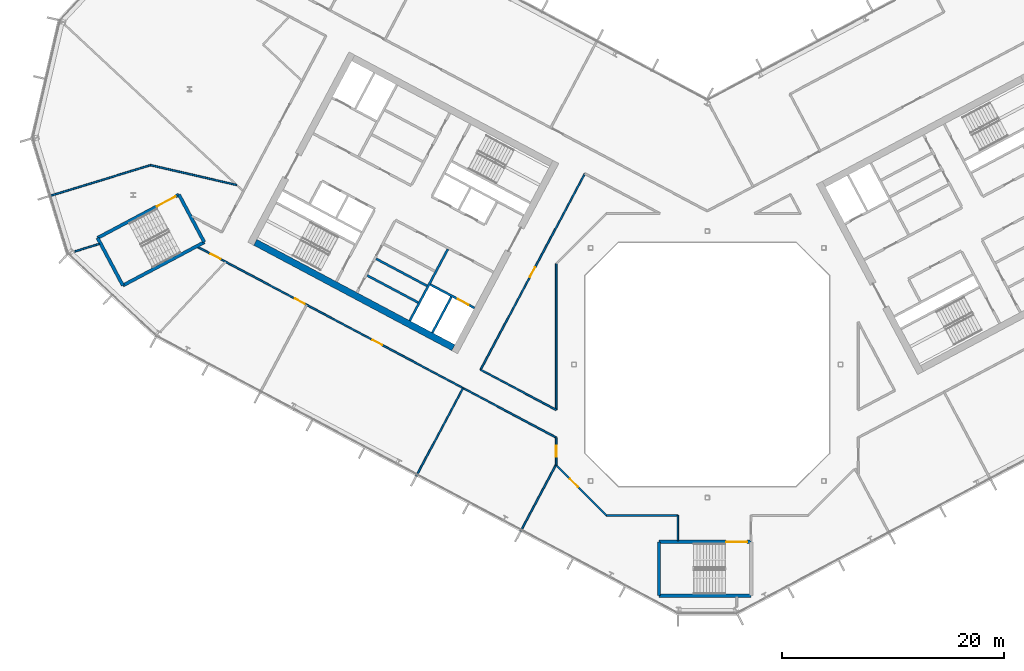
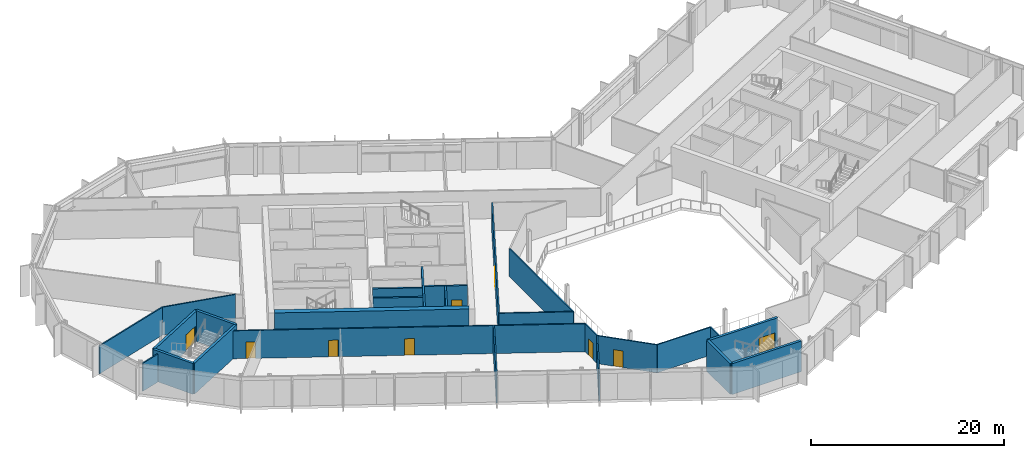
# One storey, part 13 of 27: 26 walls, 9 doors, 9 openings.
"""IFC4 building model written with IfcOpenShell, lengths in metres."""

from ifc_helpers import new_model, si_unit, direction, frame, frame_2d, origin, place, context, subcontext, project, spatial, rectangle, extrude, material, layer, layer_set, type_object, element, fill, save


model = new_model("IFC4")

# Units and contexts
model_context = context("Model", 3, precision=1e-05, world=origin(), true_north=direction((0.0, 1.0)))
body_context = subcontext(model_context, "Body", "Model", "MODEL_VIEW")
ifc_project = project(units=[si_unit("LENGTHUNIT", "METRE"), si_unit("AREAUNIT", "SQUARE_METRE"), si_unit("VOLUMEUNIT", "CUBIC_METRE"), si_unit("PLANEANGLEUNIT", "RADIAN"), si_unit("MASSUNIT", "GRAM", prefix="KILO")], contexts=[model_context])

# Site, building, storey
site_placement = place(None, origin())
site = spatial("IfcSite", under=ifc_project, at=site_placement, CompositionType="ELEMENT")
building_placement = place(site_placement, origin())
building = spatial("IfcBuilding", under=site, at=building_placement, Name="Cormorant Relay Tower", CompositionType="ELEMENT")
storey_placement = place(building_placement, frame((0.0, 0.0, 232.5)))
storey = spatial("IfcBuildingStorey", under=building, at=storey_placement, Name="L51", CompositionType="ELEMENT", Elevation=232.5)

# Walls
ifc_material_1 = material(Name="Concrete 40 MPa", Category="concrete")
ifc_layer_1 = layer(ifc_material_1, 0.199951171875)
ifc_layer_set_1 = layer_set([ifc_layer_1], Name="Core internal wall 200")
wall_type_1 = type_object("IfcWallType", Name="Core internal wall 200", PredefinedType="SOLIDWALL", material=ifc_layer_set_1)
for number, where, z_axis, x_axis, name in (
    (1, (-25.232421875, 7.073974609375, 0.0), (0.0, 0.0, 1.0), (-0.882953967957, 0.469459572775, 0.0), "L51 core A shaft and room wall"),
    (2, (-26.030517578125, 5.572998046875, 0.0), (0.0, 0.0, 1.0), (-0.882953967957, 0.469459572775, 0.0), "L51 core A shaft and room wall"),
):
    element("IfcWall", number, at=place(storey_placement, frame(where, z_axis=z_axis, x_axis=x_axis)), inside=storey, type_object=wall_type_1, Name=name, PredefinedType="SOLIDWALL", context=body_context, shape_type="SweptSolid", body=[
        extrude(rectangle(XDim=5.199951171875, YDim=0.199951171875, at=frame_2d((2.60009765625, 0.0))), origin(), (0.0, 0.0, 1.0), 3.89990234375),
    ])
ifc_material_2 = material(Name="Concrete 50 MPa", Category="concrete")
ifc_layer_2 = layer(ifc_material_2, 0.199951171875)
ifc_layer_set_2 = layer_set([ifc_layer_2], Name="Core shaft wall 200")
wall_type_2 = type_object("IfcWallType", Name="Core shaft wall 200", PredefinedType="SHEAR", material=ifc_layer_set_2)
wall_1_placement = place(storey_placement, frame((-23.04296875, 6.07958984375, 0.0), z_axis=(0.0, 0.0, 1.0), x_axis=(-0.469494272526, -0.882935517501, 0.0)))
element("IfcWall", 3, at=wall_1_placement, inside=storey, type_object=wall_type_2, Name="L51 core A shaft wall", PredefinedType="SHEAR", context=body_context, shape_type="SweptSolid", body=[
    extrude(rectangle(XDim=3.64990234375, YDim=0.199951171875, at=frame_2d((1.824951171875, 0.0))), origin(), (0.0, 0.0, 1.0), 3.89990234375),
])
wall_2_placement = place(storey_placement, frame((-23.360107421875, 10.38232421875, 0.0), z_axis=(0.0, 0.0, 1.0), x_axis=(-0.469480409012, -0.88294288918, 0.0)))
element("IfcWall", 4, at=wall_2_placement, inside=storey, type_object=wall_type_2, Name="L51 core A shaft wall", PredefinedType="SHEAR", context=body_context, shape_type="SweptSolid", body=[
    extrude(rectangle(XDim=7.300048828125, YDim=0.199951171875, at=frame_2d((3.64990234375, 0.0))), origin(), (0.0, 0.0, 1.0), 3.89990234375),
])

# Wall, opening, door
wall_3_placement = place(storey_placement, frame((-20.96533203125, 5.088134765625, 0.0), z_axis=(0.0, 0.0, 1.0), x_axis=(-0.882925986334, 0.469512196493, 0.0)))
wall_3 = element("IfcWall", 5, at=wall_3_placement, inside=storey, type_object=wall_type_2, Name="L51 core A shaft wall", PredefinedType="SHEAR", context=body_context, shape_type="SweptSolid", body=[
    extrude(rectangle(XDim=4.5, YDim=0.199951171875, at=frame_2d((2.25, 0.0))), origin(), (0.0, 0.0, 1.0), 3.89990234375),
])
opening_1_placement = place(wall_3_placement, frame((0.60009765625, 0.0, 0.0)))
opening_1 = element("IfcOpeningElement", 6, at=opening_1_placement, cuts=wall_3, Name="Opening LD1-063", PredefinedType="OPENING", context=body_context, shape_type="SweptSolid", body=[
    extrude(rectangle(XDim=1.10009765625, YDim=2.10009765625, at=frame_2d((0.550048828125, 1.050048828125))), frame((0.0, 0.10986328125, 0.0), z_axis=(0.0, -1.0, 0.0), x_axis=(1.0, 0.0, 0.0)), (0.0, 0.0, 1.0), 0.219970703125),
])
ifc_material_3 = material(Name="Stainless steel 316", Category="steel")
door_type_1 = type_object("IfcDoorType", Name="Lift landing door 1100x2100", OperationType="DOUBLE_DOOR_SLIDING", PredefinedType="DOOR", material=ifc_material_3)
door_1_placement = place(opening_1_placement, origin())
door_1 = element("IfcDoor", 7, at=door_1_placement, inside=storey, type_object=door_type_1, Name="FF1 landing door", OperationType="DOUBLE_DOOR_SLIDING", OverallHeight=2.10009765625, OverallWidth=1.10009765625, PredefinedType="DOOR", context=body_context, shape_type="SweptSolid", body=[
    extrude(rectangle(XDim=1.10009765625, YDim=2.10009765625, at=frame_2d((0.550048828125, 1.050048828125))), frame((0.0, 0.02490234375, 0.0), z_axis=(0.0, -1.0, 0.0), x_axis=(1.0, 0.0, 0.0)), (0.0, 0.0, 1.0), 0.050048828125),
])
fill(opening_1, door_1)

# Wall
ifc_material_4 = material(Name="Concrete 50 MPa", Category="concrete")
ifc_layer_3 = layer(ifc_material_4, 0.60009765625)
ifc_layer_set_3 = layer_set([ifc_layer_3], Name="Core wall 600")
wall_type_3 = type_object("IfcWallType", Name="Core wall 600", PredefinedType="SHEAR", material=ifc_layer_set_3)
wall_4_placement = place(storey_placement, frame((-22.86669921875, 1.51220703125, 0.0), z_axis=(0.0, 0.0, 1.0), x_axis=(-0.88294509198, 0.469476266226, 0.0)))
element("IfcWall", 8, at=wall_4_placement, inside=storey, type_object=wall_type_3, Name="L51 core A wall", PredefinedType="SHEAR", context=body_context, shape_type="SweptSolid", body=[
    extrude(rectangle(XDim=20.199951171875, YDim=0.60009765625, at=frame_2d((10.10009765625, 0.0))), origin(), (0.0, 0.0, 1.0), 3.89990234375),
])

# Wall, opening, door
ifc_material_5 = material(Name="Gypsum board fire partition")
ifc_layer_4 = layer(ifc_material_5, 0.14990234375)
ifc_layer_set_4 = layer_set([ifc_layer_4], Name="Corridor partition 150 EI 60")
wall_type_4 = type_object("IfcWallType", Name="Corridor partition 150 EI 60", PredefinedType="PARTITIONING", material=ifc_layer_set_4)
wall_5_placement = place(storey_placement, frame((-13.60009765625, -9.076904296875, 0.0), z_axis=(0.0, 0.0, 1.0), x_axis=(0.0, 1.0, 0.0)))
wall_5 = element("IfcWall", 9, at=wall_5_placement, inside=storey, type_object=wall_type_4, Name="wall/L51/part/015", PredefinedType="PARTITIONING", context=body_context, shape_type="SweptSolid", body=[
    extrude(rectangle(XDim=2.490966796875, YDim=0.14990234375, at=frame_2d((1.24560546875, 0.0))), origin(), (0.0, 0.0, 1.0), 3.5400390625),
])
opening_2_placement = place(wall_5_placement, frame((0.75, 0.0, 0.0)))
opening_2 = element("IfcOpeningElement", 10, at=opening_2_placement, cuts=wall_5, Name="Opening DS-158", PredefinedType="OPENING", context=body_context, shape_type="SweptSolid", body=[
    extrude(rectangle(XDim=1.0, YDim=2.10009765625, at=frame_2d((0.5, 1.050048828125))), frame((0.0, 0.0849609375, 0.0), z_axis=(0.0, -1.0, 0.0), x_axis=(1.0, 0.0, 0.0)), (0.0, 0.0, 1.0), 0.169921875),
])
ifc_material_6 = material(Name="Timber door leaf", Category="wood")
door_type_2 = type_object("IfcDoorType", Name="Suite door 1000x2100", OperationType="SINGLE_SWING_LEFT", PredefinedType="DOOR", material=ifc_material_6)
door_2_placement = place(opening_2_placement, origin())
door_2 = element("IfcDoor", 11, at=door_2_placement, inside=storey, type_object=door_type_2, Name="door/L51/010", OperationType="SINGLE_SWING_RIGHT", OverallHeight=2.10009765625, OverallWidth=1.0, PredefinedType="DOOR", context=body_context, shape_type="SweptSolid", body=[
    extrude(rectangle(XDim=1.0, YDim=2.10009765625, at=frame_2d((0.5, 1.050048828125))), frame((0.0, 0.02490234375, 0.0), z_axis=(0.0, -1.0, 0.0), x_axis=(1.0, 0.0, 0.0)), (0.0, 0.0, 1.0), 0.050048828125),
])
fill(opening_2, door_2)

# Wall, openings, doors
wall_6_placement = place(storey_placement, frame((-13.60009765625, -6.5859375, 0.0), z_axis=(0.0, 0.0, 1.0), x_axis=(-0.882948083203, 0.469470640582, 0.0)))
wall_6 = element("IfcWall", 12, at=wall_6_placement, inside=storey, type_object=wall_type_4, Name="wall/L51/part/016", PredefinedType="PARTITIONING", context=body_context, shape_type="SweptSolid", body=[
    extrude(rectangle(XDim=36.5556640625, YDim=0.14990234375, at=frame_2d((18.27783203125, 0.0))), origin(), (0.0, 0.0, 1.0), 3.5400390625),
])
opening_3_placement = place(wall_6_placement, frame((34.25, 0.0, 0.0)))
opening_3 = element("IfcOpeningElement", 13, at=opening_3_placement, cuts=wall_6, Name="Opening DS-155", PredefinedType="OPENING", context=body_context, shape_type="SweptSolid", body=[
    extrude(rectangle(XDim=1.0, YDim=2.10009765625, at=frame_2d((0.5, 1.050048828125))), frame((0.0, 0.0849609375, 0.0), z_axis=(0.0, -1.0, 0.0), x_axis=(1.0, 0.0, 0.0)), (0.0, 0.0, 1.0), 0.169921875),
])
opening_4_placement = place(wall_6_placement, frame((25.64990234375, 0.0, 0.0)))
opening_4 = element("IfcOpeningElement", 14, at=opening_4_placement, cuts=wall_6, Name="Opening DS-156", PredefinedType="OPENING", context=body_context, shape_type="SweptSolid", body=[
    extrude(rectangle(XDim=1.0, YDim=2.10009765625, at=frame_2d((0.5, 1.050048828125))), frame((0.0, 0.0849609375, 0.0), z_axis=(0.0, -1.0, 0.0), x_axis=(1.0, 0.0, 0.0)), (0.0, 0.0, 1.0), 0.169921875),
])
opening_5_placement = place(wall_6_placement, frame((17.75, 0.0, 0.0)))
opening_5 = element("IfcOpeningElement", 15, at=opening_5_placement, cuts=wall_6, Name="Opening DS-157", PredefinedType="OPENING", context=body_context, shape_type="SweptSolid", body=[
    extrude(rectangle(XDim=1.0, YDim=2.10009765625, at=frame_2d((0.5, 1.050048828125))), frame((0.0, 0.0849609375, 0.0), z_axis=(0.0, -1.0, 0.0), x_axis=(1.0, 0.0, 0.0)), (0.0, 0.0, 1.0), 0.169921875),
])
door_3_placement = place(opening_3_placement, origin())
door_3 = element("IfcDoor", 16, at=door_3_placement, inside=storey, type_object=door_type_2, Name="door/L51/007", OperationType="SINGLE_SWING_LEFT", OverallHeight=2.10009765625, OverallWidth=1.0, PredefinedType="DOOR", context=body_context, shape_type="SweptSolid", body=[
    extrude(rectangle(XDim=1.0, YDim=2.10009765625, at=frame_2d((0.5, 1.050048828125))), frame((0.0, 0.02490234375, 0.0), z_axis=(0.0, -1.0, 0.0), x_axis=(1.0, 0.0, 0.0)), (0.0, 0.0, 1.0), 0.050048828125),
])
fill(opening_3, door_3)
door_4_placement = place(opening_4_placement, origin())
door_4 = element("IfcDoor", 17, at=door_4_placement, inside=storey, type_object=door_type_2, Name="door/L51/008", OperationType="SINGLE_SWING_LEFT", OverallHeight=2.10009765625, OverallWidth=1.0, PredefinedType="DOOR", context=body_context, shape_type="SweptSolid", body=[
    extrude(rectangle(XDim=1.0, YDim=2.10009765625, at=frame_2d((0.5, 1.050048828125))), frame((0.0, 0.02490234375, 0.0), z_axis=(0.0, -1.0, 0.0), x_axis=(1.0, 0.0, 0.0)), (0.0, 0.0, 1.0), 0.050048828125),
])
fill(opening_4, door_4)
door_5_placement = place(opening_5_placement, origin())
door_5 = element("IfcDoor", 18, at=door_5_placement, inside=storey, type_object=door_type_2, Name="door/L51/009", OperationType="SINGLE_SWING_LEFT", OverallHeight=2.10009765625, OverallWidth=1.0, PredefinedType="DOOR", context=body_context, shape_type="SweptSolid", body=[
    extrude(rectangle(XDim=1.0, YDim=2.10009765625, at=frame_2d((0.5, 1.050048828125))), frame((0.0, 0.02490234375, 0.0), z_axis=(0.0, -1.0, 0.0), x_axis=(1.0, 0.0, 0.0)), (0.0, 0.0, 1.0), 0.050048828125),
])
fill(opening_5, door_5)

# Wall, opening, door
wall_7_placement = place(storey_placement, frame((-13.60009765625, -9.076904296875, 0.0), z_axis=(0.0, 0.0, 1.0), x_axis=(0.707106781187, -0.707106781187, 0.0)))
wall_7 = element("IfcWall", 19, at=wall_7_placement, inside=storey, type_object=wall_type_4, Name="wall/L51/part/023", PredefinedType="PARTITIONING", context=body_context, shape_type="SweptSolid", body=[
    extrude(rectangle(XDim=6.396728515625, YDim=0.14990234375, at=frame_2d((3.1982421875, 0.0))), origin(), (0.0, 0.0, 1.0), 3.5400390625),
])
opening_6_placement = place(wall_7_placement, frame((1.75, 0.0, 0.0)))
opening_6 = element("IfcOpeningElement", 20, at=opening_6_placement, cuts=wall_7, Name="Opening DS-159", PredefinedType="OPENING", context=body_context, shape_type="SweptSolid", body=[
    extrude(rectangle(XDim=1.0, YDim=2.10009765625, at=frame_2d((0.5, 1.050048828125))), frame((0.0, 0.0849609375, 0.0), z_axis=(0.0, -1.0, 0.0), x_axis=(1.0, 0.0, 0.0)), (0.0, 0.0, 1.0), 0.169921875),
])
door_6_placement = place(opening_6_placement, frame((1.0, 0.0, 0.0), z_axis=(0.0, 0.0, 1.0), x_axis=(-1.0, 0.0, 0.0)))
door_6 = element("IfcDoor", 21, at=door_6_placement, inside=storey, type_object=door_type_2, Name="door/L51/011", OperationType="SINGLE_SWING_RIGHT", OverallHeight=2.10009765625, OverallWidth=1.0, PredefinedType="DOOR", context=body_context, shape_type="SweptSolid", body=[
    extrude(rectangle(XDim=1.0, YDim=2.10009765625, at=frame_2d((0.5, 1.050048828125))), frame((0.0, 0.02490234375, 0.0), z_axis=(0.0, -1.0, 0.0), x_axis=(1.0, 0.0, 0.0)), (0.0, 0.0, 1.0), 0.050048828125),
])
fill(opening_6, door_6)

# Walls
wall_8_placement = place(storey_placement, frame((-2.64892578125, -15.875, 0.0), z_axis=(0.0, 0.0, 1.0), x_axis=(0.0, 1.0, 0.0)))
element("IfcWall", 22, at=wall_8_placement, inside=storey, type_object=wall_type_4, Name="wall/L51/part/025", PredefinedType="PARTITIONING", context=body_context, shape_type="SweptSolid", body=[
    extrude(rectangle(XDim=2.27490234375, YDim=0.14990234375, at=frame_2d((1.137451171875, 0.0))), origin(), (0.0, 0.0, 1.0), 3.5400390625),
])
wall_9_placement = place(storey_placement, frame((-2.64892578125, -13.60009765625, 0.0), z_axis=(0.0, 0.0, 1.0), x_axis=(-1.0, 0.0, 0.0)))
element("IfcWall", 23, at=wall_9_placement, inside=storey, type_object=wall_type_4, Name="wall/L51/part/026", PredefinedType="PARTITIONING", context=body_context, shape_type="SweptSolid", body=[
    extrude(rectangle(XDim=6.427978515625, YDim=0.14990234375, at=frame_2d((3.2138671875, 0.0))), origin(), (0.0, 0.0, 1.0), 3.5400390625),
])

# Wall, opening, door
wall_10_placement = place(storey_placement, frame((-20.410888671875, -0.472900390625, 0.0), z_axis=(0.0, 0.0, 1.0), x_axis=(0.469451816494, 0.882958091865, 0.0)))
wall_10 = element("IfcWall", 24, at=wall_10_placement, inside=storey, type_object=wall_type_4, Name="wall/L51/part/042", PredefinedType="PARTITIONING", context=body_context, shape_type="SweptSolid", body=[
    extrude(rectangle(XDim=19.999755859375, YDim=0.14990234375, at=frame_2d((10.0, 0.0))), origin(), (0.0, 0.0, 1.0), 3.5400390625),
])
opening_7_placement = place(wall_10_placement, frame((9.449951171875, 0.0, 0.0)))
opening_7 = element("IfcOpeningElement", 25, at=opening_7_placement, cuts=wall_10, Name="Opening DS-132", PredefinedType="OPENING", context=body_context, shape_type="SweptSolid", body=[
    extrude(rectangle(XDim=1.0, YDim=2.10009765625, at=frame_2d((0.5, 1.050048828125))), frame((0.0, 0.0849609375, 0.0), z_axis=(0.0, -1.0, 0.0), x_axis=(1.0, 0.0, 0.0)), (0.0, 0.0, 1.0), 0.169921875),
])
door_7_placement = place(opening_7_placement, frame((1.0, 0.0, 0.0), z_axis=(0.0, 0.0, 1.0), x_axis=(-1.0, 0.0, 0.0)))
door_7 = element("IfcDoor", 26, at=door_7_placement, inside=storey, type_object=door_type_2, Name="door/L51/012", OperationType="SINGLE_SWING_LEFT", OverallHeight=2.10009765625, OverallWidth=1.0, PredefinedType="DOOR", context=body_context, shape_type="SweptSolid", body=[
    extrude(rectangle(XDim=1.0, YDim=2.10009765625, at=frame_2d((0.5, 1.050048828125))), frame((0.0, 0.02490234375, 0.0), z_axis=(0.0, -1.0, 0.0), x_axis=(1.0, 0.0, 0.0)), (0.0, 0.0, 1.0), 0.050048828125),
])
fill(opening_7, door_7)

# Walls
wall_11_placement = place(storey_placement, frame((-13.60009765625, 9.076904296875, 0.0), z_axis=(0.0, 0.0, 1.0), x_axis=(0.0, -1.0, 0.0)))
element("IfcWall", 27, at=wall_11_placement, inside=storey, type_object=wall_type_4, Name="wall/L51/part/046", PredefinedType="PARTITIONING", context=body_context, shape_type="SweptSolid", body=[
    extrude(rectangle(XDim=13.1708984375, YDim=0.14990234375, at=frame_2d((6.58544921875, 0.0))), origin(), (0.0, 0.0, 1.0), 3.5400390625),
])
wall_12_placement = place(storey_placement, frame((-13.60009765625, -4.093994140625, 0.0), z_axis=(0.0, 0.0, 1.0), x_axis=(-0.882961998231, 0.469444469218, 0.0)))
element("IfcWall", 28, at=wall_12_placement, inside=storey, type_object=wall_type_4, Name="wall/L51/part/047", PredefinedType="PARTITIONING", context=body_context, shape_type="SweptSolid", body=[
    extrude(rectangle(XDim=7.713623046875, YDim=0.14990234375, at=frame_2d((3.85693359375, 0.0))), origin(), (0.0, 0.0, 1.0), 3.5400390625),
])
ifc_material_7 = material(Name="Concrete 50 MPa", Category="concrete")
ifc_layer_5 = layer(ifc_material_7, 0.300048828125)
ifc_layer_set_5 = layer_set([ifc_layer_5], Name="Remote stair wall 300")
wall_type_5 = type_object("IfcWallType", Name="Remote stair wall 300", PredefinedType="SHEAR", material=ifc_layer_set_5)
wall_13_placement = place(storey_placement, frame((3.949951171875, -20.824951171875, 0.0), z_axis=(0.0, 0.0, 1.0), x_axis=(-1.0, 0.0, 0.0)))
element("IfcWall", 29, at=wall_13_placement, inside=storey, type_object=wall_type_5, Name="L51 exit stair RK1 wall", PredefinedType="SHEAR", context=body_context, shape_type="SweptSolid", body=[
    extrude(rectangle(XDim=8.300048828125, YDim=0.300048828125, at=frame_2d((4.14990234375, 0.0))), origin(), (0.0, 0.0, 1.0), 3.89990234375),
])
wall_14_placement = place(storey_placement, frame((-4.35009765625, -20.824951171875, 0.0), z_axis=(0.0, 0.0, 1.0), x_axis=(0.0, 1.0, 0.0)))
element("IfcWall", 30, at=wall_14_placement, inside=storey, type_object=wall_type_5, Name="L51 exit stair RK1 wall", PredefinedType="SHEAR", context=body_context, shape_type="SweptSolid", body=[
    extrude(rectangle(XDim=4.849853515625, YDim=0.300048828125, at=frame_2d((2.4248046875, 0.0))), origin(), (0.0, 0.0, 1.0), 3.89990234375),
])

# Wall, opening, door
wall_15_placement = place(storey_placement, frame((-4.35009765625, -15.97509765625, 0.0), z_axis=(0.0, 0.0, 1.0), x_axis=(1.0, 0.0, 0.0)))
wall_15 = element("IfcWall", 31, at=wall_15_placement, inside=storey, type_object=wall_type_5, Name="L51 exit stair RK1 wall", PredefinedType="SHEAR", context=body_context, shape_type="SweptSolid", body=[
    extrude(rectangle(XDim=8.300048828125, YDim=0.300048828125, at=frame_2d((4.14990234375, 0.0))), origin(), (0.0, 0.0, 1.0), 3.89990234375),
])
opening_8_placement = place(wall_15_placement, frame((6.050048828125, 0.0, 0.0)))
opening_8 = element("IfcOpeningElement", 32, at=opening_8_placement, cuts=wall_15, Name="Opening CDE-014", PredefinedType="OPENING", context=body_context, shape_type="SweptSolid", body=[
    extrude(rectangle(XDim=1.89990234375, YDim=2.10009765625, at=frame_2d((0.949951171875, 1.050048828125))), frame((0.0, 0.159912109375, 0.0), z_axis=(0.0, -1.0, 0.0), x_axis=(1.0, 0.0, 0.0)), (0.0, 0.0, 1.0), 0.320068359375),
])
ifc_material_8 = material(Name="Steel fire door", Category="steel")
door_type_3 = type_object("IfcDoorType", Name="Remote stair door 1900x2100", OperationType="DOUBLE_DOOR_SINGLE_SWING", PredefinedType="DOOR", material=ifc_material_8)
door_8_placement = place(opening_8_placement, frame((1.89990234375, 0.0, 0.0), z_axis=(0.0, 0.0, 1.0), x_axis=(-1.0, 0.0, 0.0)))
door_8 = element("IfcDoor", 33, at=door_8_placement, inside=storey, type_object=door_type_3, Name="Exit stair RK1 door", OperationType="DOUBLE_DOOR_SINGLE_SWING", OverallHeight=2.10009765625, OverallWidth=1.89990234375, PredefinedType="DOOR", context=body_context, shape_type="SweptSolid", body=[
    extrude(rectangle(XDim=1.89990234375, YDim=2.10009765625, at=frame_2d((0.949951171875, 1.050048828125))), frame((0.0, 0.02490234375, 0.0), z_axis=(0.0, -1.0, 0.0), x_axis=(1.0, 0.0, 0.0)), (0.0, 0.0, 1.0), 0.050048828125),
])
fill(opening_8, door_8)

# Walls
wall_16_placement = place(storey_placement, frame((-47.57421875, 15.28955078125, 0.0), z_axis=(0.0, 0.0, 1.0), x_axis=(0.469443498566, -0.882962514297, 0.0)))
element("IfcWall", 34, at=wall_16_placement, inside=storey, type_object=wall_type_5, Name="L51 exit stair RP1 wall", PredefinedType="SHEAR", context=body_context, shape_type="SweptSolid", body=[
    extrude(rectangle(XDim=4.85009765625, YDim=0.300048828125, at=frame_2d((2.425048828125, 0.0))), origin(), (0.0, 0.0, 1.0), 3.89990234375),
])
wall_17_placement = place(storey_placement, frame((-45.29736328125, 11.007080078125, 0.0), z_axis=(0.0, 0.0, 1.0), x_axis=(-0.882951519127, -0.469464178475, 0.0)))
element("IfcWall", 35, at=wall_17_placement, inside=storey, type_object=wall_type_5, Name="L51 exit stair RP1 wall", PredefinedType="SHEAR", context=body_context, shape_type="SweptSolid", body=[
    extrude(rectangle(XDim=8.2998046875, YDim=0.300048828125, at=frame_2d((4.14990234375, 0.0))), origin(), (0.0, 0.0, 1.0), 3.89990234375),
])
wall_18_placement = place(storey_placement, frame((-52.625732421875, 7.110595703125, 0.0), z_axis=(0.0, 0.0, 1.0), x_axis=(-0.469464364128, 0.882951420416, 0.0)))
element("IfcWall", 36, at=wall_18_placement, inside=storey, type_object=wall_type_5, Name="L51 exit stair RP1 wall", PredefinedType="SHEAR", context=body_context, shape_type="SweptSolid", body=[
    extrude(rectangle(XDim=4.849853515625, YDim=0.300048828125, at=frame_2d((2.4248046875, 0.0))), origin(), (0.0, 0.0, 1.0), 3.89990234375),
])

# Wall, opening, door
wall_19_placement = place(storey_placement, frame((-54.902587890625, 11.392822265625, 0.0), z_axis=(0.0, 0.0, 1.0), x_axis=(0.882939326045, 0.469487110071, 0.0)))
wall_19 = element("IfcWall", 37, at=wall_19_placement, inside=storey, type_object=wall_type_5, Name="L51 exit stair RP1 wall", PredefinedType="SHEAR", context=body_context, shape_type="SweptSolid", body=[
    extrude(rectangle(XDim=8.300048828125, YDim=0.300048828125, at=frame_2d((4.14990234375, 0.0))), origin(), (0.0, 0.0, 1.0), 3.89990234375),
])
opening_9_placement = place(wall_19_placement, frame((6.050048828125, 0.0, 0.0)))
opening_9 = element("IfcOpeningElement", 38, at=opening_9_placement, cuts=wall_19, Name="Opening CDE-015", PredefinedType="OPENING", context=body_context, shape_type="SweptSolid", body=[
    extrude(rectangle(XDim=1.89990234375, YDim=2.10009765625, at=frame_2d((0.949951171875, 1.050048828125))), frame((0.0, 0.159912109375, 0.0), z_axis=(0.0, -1.0, 0.0), x_axis=(1.0, 0.0, 0.0)), (0.0, 0.0, 1.0), 0.320068359375),
])
door_9_placement = place(opening_9_placement, frame((1.89990234375, 0.0, 0.0), z_axis=(0.0, 0.0, 1.0), x_axis=(-1.0, 0.0, 0.0)))
door_9 = element("IfcDoor", 39, at=door_9_placement, inside=storey, type_object=door_type_3, Name="Exit stair RP1 door", OperationType="DOUBLE_DOOR_SINGLE_SWING", OverallHeight=2.10009765625, OverallWidth=1.89990234375, PredefinedType="DOOR", context=body_context, shape_type="SweptSolid", body=[
    extrude(rectangle(XDim=1.89990234375, YDim=2.10009765625, at=frame_2d((0.949951171875, 1.050048828125))), frame((0.0, 0.02490234375, 0.0), z_axis=(0.0, -1.0, 0.0), x_axis=(1.0, 0.0, 0.0)), (0.0, 0.0, 1.0), 0.050048828125),
])
fill(opening_9, door_9)

# Walls
ifc_material_9 = material(Name="Gypsum board partition")
ifc_layer_6 = layer(ifc_material_9, 0.14990234375)
ifc_layer_set_6 = layer_set([ifc_layer_6], Name="Tenant partition 150")
wall_type_6 = type_object("IfcWallType", Name="Tenant partition 150", PredefinedType="PARTITIONING", material=ifc_layer_set_6)
wall_20_placement = place(storey_placement, frame((-59.322021484375, 15.136962890625, 0.0), z_axis=(0.0, 0.0, 1.0), x_axis=(0.956301289206, 0.292383043732, 0.0)))
element("IfcWall", 40, at=wall_20_placement, inside=storey, type_object=wall_type_6, Name="wall/L51/part/001", PredefinedType="PARTITIONING", context=body_context, shape_type="SweptSolid", body=[
    extrude(rectangle(XDim=9.6142578125, YDim=0.14990234375, at=frame_2d((4.80712890625, 0.0))), origin(), (0.0, 0.0, 1.0), 3.5400390625),
])
wall_21_placement = place(storey_placement, frame((-50.1279296875, 17.947998046875, 0.0), z_axis=(0.0, 0.0, 1.0), x_axis=(0.974372577987, -0.224940168193, 0.0)))
element("IfcWall", 41, at=wall_21_placement, inside=storey, type_object=wall_type_6, Name="wall/L51/part/002", PredefinedType="PARTITIONING", context=body_context, shape_type="SweptSolid", body=[
    extrude(rectangle(XDim=7.957763671875, YDim=0.14990234375, at=frame_2d((3.97900390625, 0.0))), origin(), (0.0, 0.0, 1.0), 3.5400390625),
])
wall_22_placement = place(storey_placement, frame((-54.73193359375, 10.85693359375, 0.0), z_axis=(0.0, 0.0, 1.0), x_axis=(-0.956308315689, -0.292360061129, 0.0)))
element("IfcWall", 42, at=wall_22_placement, inside=storey, type_object=wall_type_6, Name="wall/L51/part/006", PredefinedType="PARTITIONING", context=body_context, shape_type="SweptSolid", body=[
    extrude(rectangle(XDim=2.36669921875, YDim=0.14990234375, at=frame_2d((1.183349609375, 0.0))), origin(), (0.0, 0.0, 1.0), 3.5400390625),
])
wall_23_placement = place(storey_placement, frame((-21.989013671875, -2.1259765625, 0.0), z_axis=(0.0, 0.0, 1.0), x_axis=(-0.469481145989, -0.882942497313, 0.0)))
element("IfcWall", 43, at=wall_23_placement, inside=storey, type_object=wall_type_6, Name="wall/L51/part/019", PredefinedType="PARTITIONING", context=body_context, shape_type="SweptSolid", body=[
    extrude(rectangle(XDim=8.99951171875, YDim=0.14990234375, at=frame_2d((4.499755859375, 0.0))), origin(), (0.0, 0.0, 1.0), 3.5400390625),
])
wall_24_placement = place(storey_placement, frame((-13.60009765625, -8.998046875, 0.0), z_axis=(0.0, 0.0, 1.0), x_axis=(-0.469531053644, -0.882915958438, 0.0)))
element("IfcWall", 44, at=wall_24_placement, inside=storey, type_object=wall_type_6, Name="wall/L51/part/021", PredefinedType="PARTITIONING", context=body_context, shape_type="SweptSolid", body=[
    extrude(rectangle(XDim=6.870361328125, YDim=0.14990234375, at=frame_2d((3.43505859375, 0.0))), origin(), (0.0, 0.0, 1.0), 3.5400390625),
])

save(model, "model.ifc")
